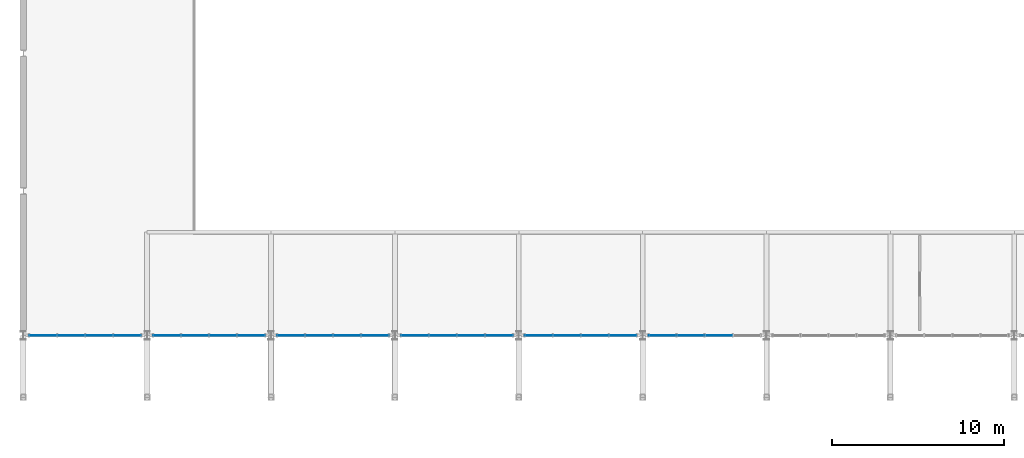
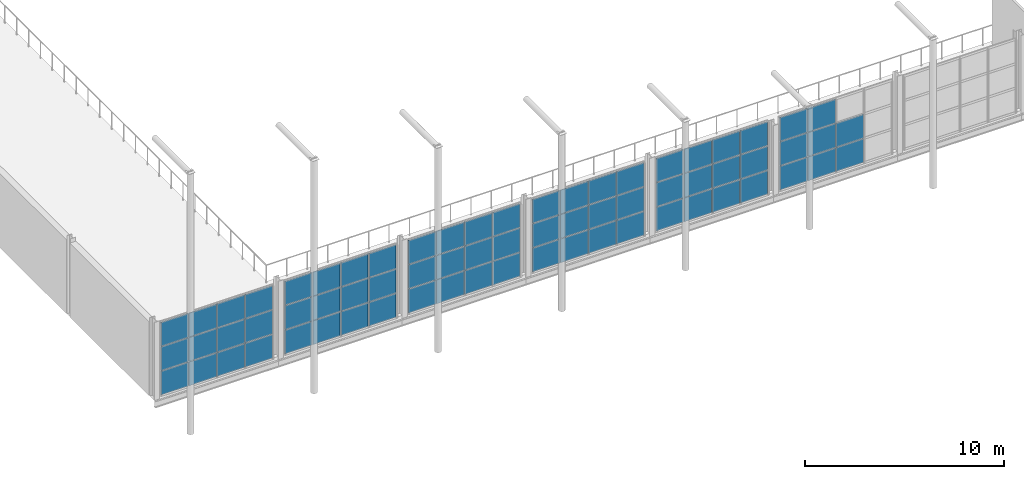
# One storey, part 104 of 143: 68 plates, 6 elements without a shape of their own.
"""IFC4 building model written with IfcOpenShell, lengths in metres."""

from ifc_helpers import new_model, si_unit, derived_unit, direction, frame, origin, origin_2d, place, context, subcontext, project, spatial, rectangle, extrude, material, layer, layer_set, type_object, element, aggregate, save


model = new_model("IFC4")

# Units and contexts
model_context = context("Model", 3, precision=1e-05, world=origin(), true_north=direction((0.0, 1.0)))
body_context = subcontext(model_context, "Body", "Model", "MODEL_VIEW")
ifc_project = project(units=[si_unit("LENGTHUNIT", "METRE"), si_unit("AREAUNIT", "SQUARE_METRE"), si_unit("VOLUMEUNIT", "CUBIC_METRE"), si_unit("PLANEANGLEUNIT", "RADIAN"), si_unit("MASSUNIT", "GRAM", prefix="KILO"), derived_unit("THERMALTRANSMITTANCEUNIT", [(si_unit("POWERUNIT", "WATT"), 1), (si_unit("LENGTHUNIT", "METRE"), -2), (si_unit("THERMODYNAMICTEMPERATUREUNIT", "KELVIN"), -1)])], contexts=[model_context])

# Site, building, storey
site_placement = place(None, origin())
site = spatial("IfcSite", under=ifc_project, at=site_placement, CompositionType="ELEMENT")
building_placement = place(site_placement, origin())
building = spatial("IfcBuilding", under=site, at=building_placement, Name="Keldorne Ridge Multi-Sports Centre", CompositionType="ELEMENT")
storey_placement = place(building_placement, frame((0.0, 0.0, 4.800048828125)))
storey = spatial("IfcBuildingStorey", under=building, at=storey_placement, Name="L01", CompositionType="ELEMENT", Elevation=4.800048828125)

# Curtain wall, plates
ifc_material_1 = material(Name="Anodized aluminium", Category="aluminium")
curtain_wall_type_1 = type_object("IfcCurtainWallType", Name="CW-CW-01", PredefinedType="NOTDEFINED", material=ifc_material_1)
curtain_wall_1_placement = place(storey_placement, origin())
curtain_wall_1 = element("IfcCurtainWall", 1, at=curtain_wall_1_placement, inside=storey, type_object=curtain_wall_type_1, Name="Main Hall south mezzanine curtain wall 001", PredefinedType="NOTDEFINED")
ifc_material_2 = material(Name="Triple acoustic low-e glazing", Category="glass")
ifc_layer = layer(ifc_material_2, 0.0439453125)
ifc_layer_set = layer_set([ifc_layer])
plate_type = type_object("IfcPlateType", Name="PLT-GL-02", PredefinedType="CURTAIN_PANEL", material=ifc_layer_set)
plate_1_placement = place(storey_placement, frame((7.155029296875, 9.60009765625, 0.02001953125), z_axis=(0.0, 0.0, 1.0), x_axis=(1.0, 0.0, 0.0)))
plate_1 = element("IfcPlate", 2, at=plate_1_placement, type_object=plate_type, Name="CW-001 glazed panel 1.1", PredefinedType="CURTAIN_PANEL", context=body_context, shape_type="SweptSolid", body=[
    extrude(rectangle(XDim=1.590087890625, YDim=0.0439453125, at=origin_2d()), origin(), (0.0, 0.0, 1.0), 1.4599609375),
])
plate_2_placement = place(storey_placement, frame((7.155029296875, 9.60009765625, 1.52001953125), z_axis=(0.0, 0.0, 1.0), x_axis=(1.0, 0.0, 0.0)))
plate_2 = element("IfcPlate", 3, at=plate_2_placement, type_object=plate_type, Name="CW-001 glazed panel 1.2", PredefinedType="CURTAIN_PANEL", context=body_context, shape_type="SweptSolid", body=[
    extrude(rectangle(XDim=1.590087890625, YDim=0.0439453125, at=origin_2d()), origin(), (0.0, 0.0, 1.0), 1.4599609375),
])
plate_3_placement = place(storey_placement, frame((7.155029296875, 9.60009765625, 3.02001953125), z_axis=(0.0, 0.0, 1.0), x_axis=(1.0, 0.0, 0.0)))
plate_3 = element("IfcPlate", 4, at=plate_3_placement, type_object=plate_type, Name="CW-001 glazed panel 1.3", PredefinedType="CURTAIN_PANEL", context=body_context, shape_type="SweptSolid", body=[
    extrude(rectangle(XDim=1.590087890625, YDim=0.0439453125, at=origin_2d()), origin(), (0.0, 0.0, 1.0), 1.4599609375),
])
plate_4_placement = place(storey_placement, frame((8.784912109375, 9.60009765625, 0.02001953125), z_axis=(0.0, 0.0, 1.0), x_axis=(1.0, 0.0, 0.0)))
plate_4 = element("IfcPlate", 5, at=plate_4_placement, type_object=plate_type, Name="CW-001 glazed panel 2.1", PredefinedType="CURTAIN_PANEL", context=body_context, shape_type="SweptSolid", body=[
    extrude(rectangle(XDim=1.590087890625, YDim=0.0439453125, at=origin_2d()), origin(), (0.0, 0.0, 1.0), 1.4599609375),
])
plate_5_placement = place(storey_placement, frame((8.784912109375, 9.60009765625, 1.52001953125), z_axis=(0.0, 0.0, 1.0), x_axis=(1.0, 0.0, 0.0)))
plate_5 = element("IfcPlate", 6, at=plate_5_placement, type_object=plate_type, Name="CW-001 glazed panel 2.2", PredefinedType="CURTAIN_PANEL", context=body_context, shape_type="SweptSolid", body=[
    extrude(rectangle(XDim=1.590087890625, YDim=0.0439453125, at=origin_2d()), origin(), (0.0, 0.0, 1.0), 1.4599609375),
])
plate_6_placement = place(storey_placement, frame((8.784912109375, 9.60009765625, 3.02001953125), z_axis=(0.0, 0.0, 1.0), x_axis=(1.0, 0.0, 0.0)))
plate_6 = element("IfcPlate", 7, at=plate_6_placement, type_object=plate_type, Name="CW-001 glazed panel 2.3", PredefinedType="CURTAIN_PANEL", context=body_context, shape_type="SweptSolid", body=[
    extrude(rectangle(XDim=1.590087890625, YDim=0.0439453125, at=origin_2d()), origin(), (0.0, 0.0, 1.0), 1.4599609375),
])
plate_7_placement = place(storey_placement, frame((10.4150390625, 9.60009765625, 0.02001953125), z_axis=(0.0, 0.0, 1.0), x_axis=(1.0, 0.0, 0.0)))
plate_7 = element("IfcPlate", 8, at=plate_7_placement, type_object=plate_type, Name="CW-001 glazed panel 3.1", PredefinedType="CURTAIN_PANEL", context=body_context, shape_type="SweptSolid", body=[
    extrude(rectangle(XDim=1.590087890625, YDim=0.0439453125, at=origin_2d()), origin(), (0.0, 0.0, 1.0), 1.4599609375),
])
plate_8_placement = place(storey_placement, frame((10.4150390625, 9.60009765625, 1.52001953125), z_axis=(0.0, 0.0, 1.0), x_axis=(1.0, 0.0, 0.0)))
plate_8 = element("IfcPlate", 9, at=plate_8_placement, type_object=plate_type, Name="CW-001 glazed panel 3.2", PredefinedType="CURTAIN_PANEL", context=body_context, shape_type="SweptSolid", body=[
    extrude(rectangle(XDim=1.590087890625, YDim=0.0439453125, at=origin_2d()), origin(), (0.0, 0.0, 1.0), 1.4599609375),
])
plate_9_placement = place(storey_placement, frame((10.4150390625, 9.60009765625, 3.02001953125), z_axis=(0.0, 0.0, 1.0), x_axis=(1.0, 0.0, 0.0)))
plate_9 = element("IfcPlate", 10, at=plate_9_placement, type_object=plate_type, Name="CW-001 glazed panel 3.3", PredefinedType="CURTAIN_PANEL", context=body_context, shape_type="SweptSolid", body=[
    extrude(rectangle(XDim=1.590087890625, YDim=0.0439453125, at=origin_2d()), origin(), (0.0, 0.0, 1.0), 1.4599609375),
])
plate_10_placement = place(storey_placement, frame((12.044921875, 9.60009765625, 0.02001953125), z_axis=(0.0, 0.0, 1.0), x_axis=(1.0, 0.0, 0.0)))
plate_10 = element("IfcPlate", 11, at=plate_10_placement, type_object=plate_type, Name="CW-001 glazed panel 4.1", PredefinedType="CURTAIN_PANEL", context=body_context, shape_type="SweptSolid", body=[
    extrude(rectangle(XDim=1.590087890625, YDim=0.0439453125, at=origin_2d()), origin(), (0.0, 0.0, 1.0), 1.4599609375),
])
plate_11_placement = place(storey_placement, frame((12.044921875, 9.60009765625, 1.52001953125), z_axis=(0.0, 0.0, 1.0), x_axis=(1.0, 0.0, 0.0)))
plate_11 = element("IfcPlate", 12, at=plate_11_placement, type_object=plate_type, Name="CW-001 glazed panel 4.2", PredefinedType="CURTAIN_PANEL", context=body_context, shape_type="SweptSolid", body=[
    extrude(rectangle(XDim=1.590087890625, YDim=0.0439453125, at=origin_2d()), origin(), (0.0, 0.0, 1.0), 1.4599609375),
])
plate_12_placement = place(storey_placement, frame((12.044921875, 9.60009765625, 3.02001953125), z_axis=(0.0, 0.0, 1.0), x_axis=(1.0, 0.0, 0.0)))
plate_12 = element("IfcPlate", 13, at=plate_12_placement, type_object=plate_type, Name="CW-001 glazed panel 4.3", PredefinedType="CURTAIN_PANEL", context=body_context, shape_type="SweptSolid", body=[
    extrude(rectangle(XDim=1.590087890625, YDim=0.0439453125, at=origin_2d()), origin(), (0.0, 0.0, 1.0), 1.4599609375),
])
aggregate(curtain_wall_1, [plate_1, plate_2, plate_3, plate_4, plate_5, plate_6, plate_7, plate_8, plate_9, plate_10, plate_11, plate_12])

curtain_wall_type_2 = type_object("IfcCurtainWallType", Name="CW-CW-04", PredefinedType="NOTDEFINED", material=ifc_material_1)
curtain_wall_2_placement = place(storey_placement, origin())
curtain_wall_2 = element("IfcCurtainWall", 14, at=curtain_wall_2_placement, inside=storey, type_object=curtain_wall_type_2, Name="Main Hall south mezzanine curtain wall 004", PredefinedType="NOTDEFINED")
plate_13_placement = place(storey_placement, frame((14.35498046875, 9.60009765625, 0.02001953125), z_axis=(0.0, 0.0, 1.0), x_axis=(1.0, 0.0, 0.0)))
plate_13 = element("IfcPlate", 15, at=plate_13_placement, type_object=plate_type, Name="CW-004 glazed panel 1.1", PredefinedType="CURTAIN_PANEL", context=body_context, shape_type="SweptSolid", body=[
    extrude(rectangle(XDim=1.590087890625, YDim=0.0439453125, at=origin_2d()), origin(), (0.0, 0.0, 1.0), 1.4599609375),
])
plate_14_placement = place(storey_placement, frame((14.35498046875, 9.60009765625, 1.52001953125), z_axis=(0.0, 0.0, 1.0), x_axis=(1.0, 0.0, 0.0)))
plate_14 = element("IfcPlate", 16, at=plate_14_placement, type_object=plate_type, Name="CW-004 glazed panel 1.2", PredefinedType="CURTAIN_PANEL", context=body_context, shape_type="SweptSolid", body=[
    extrude(rectangle(XDim=1.590087890625, YDim=0.0439453125, at=origin_2d()), origin(), (0.0, 0.0, 1.0), 1.4599609375),
])
plate_15_placement = place(storey_placement, frame((14.35498046875, 9.60009765625, 3.02001953125), z_axis=(0.0, 0.0, 1.0), x_axis=(1.0, 0.0, 0.0)))
plate_15 = element("IfcPlate", 17, at=plate_15_placement, type_object=plate_type, Name="CW-004 glazed panel 1.3", PredefinedType="CURTAIN_PANEL", context=body_context, shape_type="SweptSolid", body=[
    extrude(rectangle(XDim=1.590087890625, YDim=0.0439453125, at=origin_2d()), origin(), (0.0, 0.0, 1.0), 1.4599609375),
])
plate_16_placement = place(storey_placement, frame((15.985107421875, 9.60009765625, 0.02001953125), z_axis=(0.0, 0.0, 1.0), x_axis=(1.0, 0.0, 0.0)))
plate_16 = element("IfcPlate", 18, at=plate_16_placement, type_object=plate_type, Name="CW-004 glazed panel 2.1", PredefinedType="CURTAIN_PANEL", context=body_context, shape_type="SweptSolid", body=[
    extrude(rectangle(XDim=1.590087890625, YDim=0.0439453125, at=origin_2d()), origin(), (0.0, 0.0, 1.0), 1.4599609375),
])
plate_17_placement = place(storey_placement, frame((15.985107421875, 9.60009765625, 1.52001953125), z_axis=(0.0, 0.0, 1.0), x_axis=(1.0, 0.0, 0.0)))
plate_17 = element("IfcPlate", 19, at=plate_17_placement, type_object=plate_type, Name="CW-004 glazed panel 2.2", PredefinedType="CURTAIN_PANEL", context=body_context, shape_type="SweptSolid", body=[
    extrude(rectangle(XDim=1.590087890625, YDim=0.0439453125, at=origin_2d()), origin(), (0.0, 0.0, 1.0), 1.4599609375),
])
plate_18_placement = place(storey_placement, frame((15.985107421875, 9.60009765625, 3.02001953125), z_axis=(0.0, 0.0, 1.0), x_axis=(1.0, 0.0, 0.0)))
plate_18 = element("IfcPlate", 20, at=plate_18_placement, type_object=plate_type, Name="CW-004 glazed panel 2.3", PredefinedType="CURTAIN_PANEL", context=body_context, shape_type="SweptSolid", body=[
    extrude(rectangle(XDim=1.590087890625, YDim=0.0439453125, at=origin_2d()), origin(), (0.0, 0.0, 1.0), 1.4599609375),
])
plate_19_placement = place(storey_placement, frame((17.614990234375, 9.60009765625, 0.02001953125), z_axis=(0.0, 0.0, 1.0), x_axis=(1.0, 0.0, 0.0)))
plate_19 = element("IfcPlate", 21, at=plate_19_placement, type_object=plate_type, Name="CW-004 glazed panel 3.1", PredefinedType="CURTAIN_PANEL", context=body_context, shape_type="SweptSolid", body=[
    extrude(rectangle(XDim=1.590087890625, YDim=0.0439453125, at=origin_2d()), origin(), (0.0, 0.0, 1.0), 1.4599609375),
])
plate_20_placement = place(storey_placement, frame((17.614990234375, 9.60009765625, 1.52001953125), z_axis=(0.0, 0.0, 1.0), x_axis=(1.0, 0.0, 0.0)))
plate_20 = element("IfcPlate", 22, at=plate_20_placement, type_object=plate_type, Name="CW-004 glazed panel 3.2", PredefinedType="CURTAIN_PANEL", context=body_context, shape_type="SweptSolid", body=[
    extrude(rectangle(XDim=1.590087890625, YDim=0.0439453125, at=origin_2d()), origin(), (0.0, 0.0, 1.0), 1.4599609375),
])
plate_21_placement = place(storey_placement, frame((17.614990234375, 9.60009765625, 3.02001953125), z_axis=(0.0, 0.0, 1.0), x_axis=(1.0, 0.0, 0.0)))
plate_21 = element("IfcPlate", 23, at=plate_21_placement, type_object=plate_type, Name="CW-004 glazed panel 3.3", PredefinedType="CURTAIN_PANEL", context=body_context, shape_type="SweptSolid", body=[
    extrude(rectangle(XDim=1.590087890625, YDim=0.0439453125, at=origin_2d()), origin(), (0.0, 0.0, 1.0), 1.4599609375),
])
plate_22_placement = place(storey_placement, frame((19.2451171875, 9.60009765625, 0.02001953125), z_axis=(0.0, 0.0, 1.0), x_axis=(1.0, 0.0, 0.0)))
plate_22 = element("IfcPlate", 24, at=plate_22_placement, type_object=plate_type, Name="CW-004 glazed panel 4.1", PredefinedType="CURTAIN_PANEL", context=body_context, shape_type="SweptSolid", body=[
    extrude(rectangle(XDim=1.590087890625, YDim=0.0439453125, at=origin_2d()), origin(), (0.0, 0.0, 1.0), 1.4599609375),
])
plate_23_placement = place(storey_placement, frame((19.2451171875, 9.60009765625, 1.52001953125), z_axis=(0.0, 0.0, 1.0), x_axis=(1.0, 0.0, 0.0)))
plate_23 = element("IfcPlate", 25, at=plate_23_placement, type_object=plate_type, Name="CW-004 glazed panel 4.2", PredefinedType="CURTAIN_PANEL", context=body_context, shape_type="SweptSolid", body=[
    extrude(rectangle(XDim=1.590087890625, YDim=0.0439453125, at=origin_2d()), origin(), (0.0, 0.0, 1.0), 1.4599609375),
])
plate_24_placement = place(storey_placement, frame((19.2451171875, 9.60009765625, 3.02001953125), z_axis=(0.0, 0.0, 1.0), x_axis=(1.0, 0.0, 0.0)))
plate_24 = element("IfcPlate", 26, at=plate_24_placement, type_object=plate_type, Name="CW-004 glazed panel 4.3", PredefinedType="CURTAIN_PANEL", context=body_context, shape_type="SweptSolid", body=[
    extrude(rectangle(XDim=1.590087890625, YDim=0.0439453125, at=origin_2d()), origin(), (0.0, 0.0, 1.0), 1.4599609375),
])
aggregate(curtain_wall_2, [plate_13, plate_14, plate_15, plate_16, plate_17, plate_18, plate_19, plate_20, plate_21, plate_22, plate_23, plate_24])

curtain_wall_type_3 = type_object("IfcCurtainWallType", Name="CW-CW-07", PredefinedType="NOTDEFINED", material=ifc_material_1)
curtain_wall_3_placement = place(storey_placement, origin())
curtain_wall_3 = element("IfcCurtainWall", 27, at=curtain_wall_3_placement, inside=storey, type_object=curtain_wall_type_3, Name="Main Hall south mezzanine curtain wall 007", PredefinedType="NOTDEFINED")
plate_25_placement = place(storey_placement, frame((21.554931640625, 9.60009765625, 0.02001953125), z_axis=(0.0, 0.0, 1.0), x_axis=(1.0, 0.0, 0.0)))
plate_25 = element("IfcPlate", 28, at=plate_25_placement, type_object=plate_type, Name="CW-007 glazed panel 1.1", PredefinedType="CURTAIN_PANEL", context=body_context, shape_type="SweptSolid", body=[
    extrude(rectangle(XDim=1.590087890625, YDim=0.0439453125, at=origin_2d()), origin(), (0.0, 0.0, 1.0), 1.4599609375),
])
plate_26_placement = place(storey_placement, frame((21.554931640625, 9.60009765625, 1.52001953125), z_axis=(0.0, 0.0, 1.0), x_axis=(1.0, 0.0, 0.0)))
plate_26 = element("IfcPlate", 29, at=plate_26_placement, type_object=plate_type, Name="CW-007 glazed panel 1.2", PredefinedType="CURTAIN_PANEL", context=body_context, shape_type="SweptSolid", body=[
    extrude(rectangle(XDim=1.590087890625, YDim=0.0439453125, at=origin_2d()), origin(), (0.0, 0.0, 1.0), 1.4599609375),
])
plate_27_placement = place(storey_placement, frame((21.554931640625, 9.60009765625, 3.02001953125), z_axis=(0.0, 0.0, 1.0), x_axis=(1.0, 0.0, 0.0)))
plate_27 = element("IfcPlate", 30, at=plate_27_placement, type_object=plate_type, Name="CW-007 glazed panel 1.3", PredefinedType="CURTAIN_PANEL", context=body_context, shape_type="SweptSolid", body=[
    extrude(rectangle(XDim=1.590087890625, YDim=0.0439453125, at=origin_2d()), origin(), (0.0, 0.0, 1.0), 1.4599609375),
])
plate_28_placement = place(storey_placement, frame((23.18505859375, 9.60009765625, 0.02001953125), z_axis=(0.0, 0.0, 1.0), x_axis=(1.0, 0.0, 0.0)))
plate_28 = element("IfcPlate", 31, at=plate_28_placement, type_object=plate_type, Name="CW-007 glazed panel 2.1", PredefinedType="CURTAIN_PANEL", context=body_context, shape_type="SweptSolid", body=[
    extrude(rectangle(XDim=1.590087890625, YDim=0.0439453125, at=origin_2d()), origin(), (0.0, 0.0, 1.0), 1.4599609375),
])
plate_29_placement = place(storey_placement, frame((23.18505859375, 9.60009765625, 1.52001953125), z_axis=(0.0, 0.0, 1.0), x_axis=(1.0, 0.0, 0.0)))
plate_29 = element("IfcPlate", 32, at=plate_29_placement, type_object=plate_type, Name="CW-007 glazed panel 2.2", PredefinedType="CURTAIN_PANEL", context=body_context, shape_type="SweptSolid", body=[
    extrude(rectangle(XDim=1.590087890625, YDim=0.0439453125, at=origin_2d()), origin(), (0.0, 0.0, 1.0), 1.4599609375),
])
plate_30_placement = place(storey_placement, frame((23.18505859375, 9.60009765625, 3.02001953125), z_axis=(0.0, 0.0, 1.0), x_axis=(1.0, 0.0, 0.0)))
plate_30 = element("IfcPlate", 33, at=plate_30_placement, type_object=plate_type, Name="CW-007 glazed panel 2.3", PredefinedType="CURTAIN_PANEL", context=body_context, shape_type="SweptSolid", body=[
    extrude(rectangle(XDim=1.590087890625, YDim=0.0439453125, at=origin_2d()), origin(), (0.0, 0.0, 1.0), 1.4599609375),
])
plate_31_placement = place(storey_placement, frame((24.81494140625, 9.60009765625, 0.02001953125), z_axis=(0.0, 0.0, 1.0), x_axis=(1.0, 0.0, 0.0)))
plate_31 = element("IfcPlate", 34, at=plate_31_placement, type_object=plate_type, Name="CW-007 glazed panel 3.1", PredefinedType="CURTAIN_PANEL", context=body_context, shape_type="SweptSolid", body=[
    extrude(rectangle(XDim=1.590087890625, YDim=0.0439453125, at=origin_2d()), origin(), (0.0, 0.0, 1.0), 1.4599609375),
])
plate_32_placement = place(storey_placement, frame((24.81494140625, 9.60009765625, 1.52001953125), z_axis=(0.0, 0.0, 1.0), x_axis=(1.0, 0.0, 0.0)))
plate_32 = element("IfcPlate", 35, at=plate_32_placement, type_object=plate_type, Name="CW-007 glazed panel 3.2", PredefinedType="CURTAIN_PANEL", context=body_context, shape_type="SweptSolid", body=[
    extrude(rectangle(XDim=1.590087890625, YDim=0.0439453125, at=origin_2d()), origin(), (0.0, 0.0, 1.0), 1.4599609375),
])
plate_33_placement = place(storey_placement, frame((24.81494140625, 9.60009765625, 3.02001953125), z_axis=(0.0, 0.0, 1.0), x_axis=(1.0, 0.0, 0.0)))
plate_33 = element("IfcPlate", 36, at=plate_33_placement, type_object=plate_type, Name="CW-007 glazed panel 3.3", PredefinedType="CURTAIN_PANEL", context=body_context, shape_type="SweptSolid", body=[
    extrude(rectangle(XDim=1.590087890625, YDim=0.0439453125, at=origin_2d()), origin(), (0.0, 0.0, 1.0), 1.4599609375),
])
plate_34_placement = place(storey_placement, frame((26.445068359375, 9.60009765625, 0.02001953125), z_axis=(0.0, 0.0, 1.0), x_axis=(1.0, 0.0, 0.0)))
plate_34 = element("IfcPlate", 37, at=plate_34_placement, type_object=plate_type, Name="CW-007 glazed panel 4.1", PredefinedType="CURTAIN_PANEL", context=body_context, shape_type="SweptSolid", body=[
    extrude(rectangle(XDim=1.590087890625, YDim=0.0439453125, at=origin_2d()), origin(), (0.0, 0.0, 1.0), 1.4599609375),
])
plate_35_placement = place(storey_placement, frame((26.445068359375, 9.60009765625, 1.52001953125), z_axis=(0.0, 0.0, 1.0), x_axis=(1.0, 0.0, 0.0)))
plate_35 = element("IfcPlate", 38, at=plate_35_placement, type_object=plate_type, Name="CW-007 glazed panel 4.2", PredefinedType="CURTAIN_PANEL", context=body_context, shape_type="SweptSolid", body=[
    extrude(rectangle(XDim=1.590087890625, YDim=0.0439453125, at=origin_2d()), origin(), (0.0, 0.0, 1.0), 1.4599609375),
])
plate_36_placement = place(storey_placement, frame((26.445068359375, 9.60009765625, 3.02001953125), z_axis=(0.0, 0.0, 1.0), x_axis=(1.0, 0.0, 0.0)))
plate_36 = element("IfcPlate", 39, at=plate_36_placement, type_object=plate_type, Name="CW-007 glazed panel 4.3", PredefinedType="CURTAIN_PANEL", context=body_context, shape_type="SweptSolid", body=[
    extrude(rectangle(XDim=1.590087890625, YDim=0.0439453125, at=origin_2d()), origin(), (0.0, 0.0, 1.0), 1.4599609375),
])
aggregate(curtain_wall_3, [plate_25, plate_26, plate_27, plate_28, plate_29, plate_30, plate_31, plate_32, plate_33, plate_34, plate_35, plate_36])

curtain_wall_type_4 = type_object("IfcCurtainWallType", Name="CW-CW-02", PredefinedType="NOTDEFINED", material=ifc_material_1)
curtain_wall_4_placement = place(storey_placement, origin())
curtain_wall_4 = element("IfcCurtainWall", 40, at=curtain_wall_4_placement, inside=storey, type_object=curtain_wall_type_4, Name="Main Hall south mezzanine curtain wall 010", PredefinedType="NOTDEFINED")
plate_37_placement = place(storey_placement, frame((28.7548828125, 9.60009765625, 0.02001953125), z_axis=(0.0, 0.0, 1.0), x_axis=(1.0, 0.0, 0.0)))
plate_37 = element("IfcPlate", 41, at=plate_37_placement, type_object=plate_type, Name="CW-010 glazed panel 1.1", PredefinedType="CURTAIN_PANEL", context=body_context, shape_type="SweptSolid", body=[
    extrude(rectangle(XDim=1.590087890625, YDim=0.0439453125, at=origin_2d()), origin(), (0.0, 0.0, 1.0), 1.4599609375),
])
plate_38_placement = place(storey_placement, frame((28.7548828125, 9.60009765625, 1.52001953125), z_axis=(0.0, 0.0, 1.0), x_axis=(1.0, 0.0, 0.0)))
plate_38 = element("IfcPlate", 42, at=plate_38_placement, type_object=plate_type, Name="CW-010 glazed panel 1.2", PredefinedType="CURTAIN_PANEL", context=body_context, shape_type="SweptSolid", body=[
    extrude(rectangle(XDim=1.590087890625, YDim=0.0439453125, at=origin_2d()), origin(), (0.0, 0.0, 1.0), 1.4599609375),
])
plate_39_placement = place(storey_placement, frame((28.7548828125, 9.60009765625, 3.02001953125), z_axis=(0.0, 0.0, 1.0), x_axis=(1.0, 0.0, 0.0)))
plate_39 = element("IfcPlate", 43, at=plate_39_placement, type_object=plate_type, Name="CW-010 glazed panel 1.3", PredefinedType="CURTAIN_PANEL", context=body_context, shape_type="SweptSolid", body=[
    extrude(rectangle(XDim=1.590087890625, YDim=0.0439453125, at=origin_2d()), origin(), (0.0, 0.0, 1.0), 1.4599609375),
])
plate_40_placement = place(storey_placement, frame((30.385009765625, 9.60009765625, 0.02001953125), z_axis=(0.0, 0.0, 1.0), x_axis=(1.0, 0.0, 0.0)))
plate_40 = element("IfcPlate", 44, at=plate_40_placement, type_object=plate_type, Name="CW-010 glazed panel 2.1", PredefinedType="CURTAIN_PANEL", context=body_context, shape_type="SweptSolid", body=[
    extrude(rectangle(XDim=1.590087890625, YDim=0.0439453125, at=origin_2d()), origin(), (0.0, 0.0, 1.0), 1.4599609375),
])
plate_41_placement = place(storey_placement, frame((30.385009765625, 9.60009765625, 1.52001953125), z_axis=(0.0, 0.0, 1.0), x_axis=(1.0, 0.0, 0.0)))
plate_41 = element("IfcPlate", 45, at=plate_41_placement, type_object=plate_type, Name="CW-010 glazed panel 2.2", PredefinedType="CURTAIN_PANEL", context=body_context, shape_type="SweptSolid", body=[
    extrude(rectangle(XDim=1.590087890625, YDim=0.0439453125, at=origin_2d()), origin(), (0.0, 0.0, 1.0), 1.4599609375),
])
plate_42_placement = place(storey_placement, frame((30.385009765625, 9.60009765625, 3.02001953125), z_axis=(0.0, 0.0, 1.0), x_axis=(1.0, 0.0, 0.0)))
plate_42 = element("IfcPlate", 46, at=plate_42_placement, type_object=plate_type, Name="CW-010 glazed panel 2.3", PredefinedType="CURTAIN_PANEL", context=body_context, shape_type="SweptSolid", body=[
    extrude(rectangle(XDim=1.590087890625, YDim=0.0439453125, at=origin_2d()), origin(), (0.0, 0.0, 1.0), 1.4599609375),
])
plate_43_placement = place(storey_placement, frame((32.014892578125, 9.60009765625, 0.02001953125), z_axis=(0.0, 0.0, 1.0), x_axis=(1.0, 0.0, 0.0)))
plate_43 = element("IfcPlate", 47, at=plate_43_placement, type_object=plate_type, Name="CW-010 glazed panel 3.1", PredefinedType="CURTAIN_PANEL", context=body_context, shape_type="SweptSolid", body=[
    extrude(rectangle(XDim=1.590087890625, YDim=0.0439453125, at=origin_2d()), origin(), (0.0, 0.0, 1.0), 1.4599609375),
])
plate_44_placement = place(storey_placement, frame((32.014892578125, 9.60009765625, 1.52001953125), z_axis=(0.0, 0.0, 1.0), x_axis=(1.0, 0.0, 0.0)))
plate_44 = element("IfcPlate", 48, at=plate_44_placement, type_object=plate_type, Name="CW-010 glazed panel 3.2", PredefinedType="CURTAIN_PANEL", context=body_context, shape_type="SweptSolid", body=[
    extrude(rectangle(XDim=1.590087890625, YDim=0.0439453125, at=origin_2d()), origin(), (0.0, 0.0, 1.0), 1.4599609375),
])
plate_45_placement = place(storey_placement, frame((32.014892578125, 9.60009765625, 3.02001953125), z_axis=(0.0, 0.0, 1.0), x_axis=(1.0, 0.0, 0.0)))
plate_45 = element("IfcPlate", 49, at=plate_45_placement, type_object=plate_type, Name="CW-010 glazed panel 3.3", PredefinedType="CURTAIN_PANEL", context=body_context, shape_type="SweptSolid", body=[
    extrude(rectangle(XDim=1.590087890625, YDim=0.0439453125, at=origin_2d()), origin(), (0.0, 0.0, 1.0), 1.4599609375),
])
plate_46_placement = place(storey_placement, frame((33.64501953125, 9.60009765625, 0.02001953125), z_axis=(0.0, 0.0, 1.0), x_axis=(1.0, 0.0, 0.0)))
plate_46 = element("IfcPlate", 50, at=plate_46_placement, type_object=plate_type, Name="CW-010 glazed panel 4.1", PredefinedType="CURTAIN_PANEL", context=body_context, shape_type="SweptSolid", body=[
    extrude(rectangle(XDim=1.590087890625, YDim=0.0439453125, at=origin_2d()), origin(), (0.0, 0.0, 1.0), 1.4599609375),
])
plate_47_placement = place(storey_placement, frame((33.64501953125, 9.60009765625, 1.52001953125), z_axis=(0.0, 0.0, 1.0), x_axis=(1.0, 0.0, 0.0)))
plate_47 = element("IfcPlate", 51, at=plate_47_placement, type_object=plate_type, Name="CW-010 glazed panel 4.2", PredefinedType="CURTAIN_PANEL", context=body_context, shape_type="SweptSolid", body=[
    extrude(rectangle(XDim=1.590087890625, YDim=0.0439453125, at=origin_2d()), origin(), (0.0, 0.0, 1.0), 1.4599609375),
])
plate_48_placement = place(storey_placement, frame((33.64501953125, 9.60009765625, 3.02001953125), z_axis=(0.0, 0.0, 1.0), x_axis=(1.0, 0.0, 0.0)))
plate_48 = element("IfcPlate", 52, at=plate_48_placement, type_object=plate_type, Name="CW-010 glazed panel 4.3", PredefinedType="CURTAIN_PANEL", context=body_context, shape_type="SweptSolid", body=[
    extrude(rectangle(XDim=1.590087890625, YDim=0.0439453125, at=origin_2d()), origin(), (0.0, 0.0, 1.0), 1.4599609375),
])
aggregate(curtain_wall_4, [plate_37, plate_38, plate_39, plate_40, plate_41, plate_42, plate_43, plate_44, plate_45, plate_46, plate_47, plate_48])

curtain_wall_type_5 = type_object("IfcCurtainWallType", Name="CW-CW-05", PredefinedType="NOTDEFINED", material=ifc_material_1)
curtain_wall_5_placement = place(storey_placement, origin())
curtain_wall_5 = element("IfcCurtainWall", 53, at=curtain_wall_5_placement, inside=storey, type_object=curtain_wall_type_5, Name="Main Hall south mezzanine curtain wall 013", PredefinedType="NOTDEFINED")
plate_49_placement = place(storey_placement, frame((35.955078125, 9.60009765625, 0.02001953125), z_axis=(0.0, 0.0, 1.0), x_axis=(1.0, 0.0, 0.0)))
plate_49 = element("IfcPlate", 54, at=plate_49_placement, type_object=plate_type, Name="CW-013 glazed panel 1.1", PredefinedType="CURTAIN_PANEL", context=body_context, shape_type="SweptSolid", body=[
    extrude(rectangle(XDim=1.590087890625, YDim=0.0439453125, at=origin_2d()), origin(), (0.0, 0.0, 1.0), 1.4599609375),
])
plate_50_placement = place(storey_placement, frame((35.955078125, 9.60009765625, 1.52001953125), z_axis=(0.0, 0.0, 1.0), x_axis=(1.0, 0.0, 0.0)))
plate_50 = element("IfcPlate", 55, at=plate_50_placement, type_object=plate_type, Name="CW-013 glazed panel 1.2", PredefinedType="CURTAIN_PANEL", context=body_context, shape_type="SweptSolid", body=[
    extrude(rectangle(XDim=1.590087890625, YDim=0.0439453125, at=origin_2d()), origin(), (0.0, 0.0, 1.0), 1.4599609375),
])
plate_51_placement = place(storey_placement, frame((35.955078125, 9.60009765625, 3.02001953125), z_axis=(0.0, 0.0, 1.0), x_axis=(1.0, 0.0, 0.0)))
plate_51 = element("IfcPlate", 56, at=plate_51_placement, type_object=plate_type, Name="CW-013 glazed panel 1.3", PredefinedType="CURTAIN_PANEL", context=body_context, shape_type="SweptSolid", body=[
    extrude(rectangle(XDim=1.590087890625, YDim=0.0439453125, at=origin_2d()), origin(), (0.0, 0.0, 1.0), 1.4599609375),
])
plate_52_placement = place(storey_placement, frame((37.5849609375, 9.60009765625, 0.02001953125), z_axis=(0.0, 0.0, 1.0), x_axis=(1.0, 0.0, 0.0)))
plate_52 = element("IfcPlate", 57, at=plate_52_placement, type_object=plate_type, Name="CW-013 glazed panel 2.1", PredefinedType="CURTAIN_PANEL", context=body_context, shape_type="SweptSolid", body=[
    extrude(rectangle(XDim=1.590087890625, YDim=0.0439453125, at=origin_2d()), origin(), (0.0, 0.0, 1.0), 1.4599609375),
])
plate_53_placement = place(storey_placement, frame((37.5849609375, 9.60009765625, 1.52001953125), z_axis=(0.0, 0.0, 1.0), x_axis=(1.0, 0.0, 0.0)))
plate_53 = element("IfcPlate", 58, at=plate_53_placement, type_object=plate_type, Name="CW-013 glazed panel 2.2", PredefinedType="CURTAIN_PANEL", context=body_context, shape_type="SweptSolid", body=[
    extrude(rectangle(XDim=1.590087890625, YDim=0.0439453125, at=origin_2d()), origin(), (0.0, 0.0, 1.0), 1.4599609375),
])
plate_54_placement = place(storey_placement, frame((37.5849609375, 9.60009765625, 3.02001953125), z_axis=(0.0, 0.0, 1.0), x_axis=(1.0, 0.0, 0.0)))
plate_54 = element("IfcPlate", 59, at=plate_54_placement, type_object=plate_type, Name="CW-013 glazed panel 2.3", PredefinedType="CURTAIN_PANEL", context=body_context, shape_type="SweptSolid", body=[
    extrude(rectangle(XDim=1.590087890625, YDim=0.0439453125, at=origin_2d()), origin(), (0.0, 0.0, 1.0), 1.4599609375),
])
plate_55_placement = place(storey_placement, frame((39.215087890625, 9.60009765625, 0.02001953125), z_axis=(0.0, 0.0, 1.0), x_axis=(1.0, 0.0, 0.0)))
plate_55 = element("IfcPlate", 60, at=plate_55_placement, type_object=plate_type, Name="CW-013 glazed panel 3.1", PredefinedType="CURTAIN_PANEL", context=body_context, shape_type="SweptSolid", body=[
    extrude(rectangle(XDim=1.590087890625, YDim=0.0439453125, at=origin_2d()), origin(), (0.0, 0.0, 1.0), 1.4599609375),
])
plate_56_placement = place(storey_placement, frame((39.215087890625, 9.60009765625, 1.52001953125), z_axis=(0.0, 0.0, 1.0), x_axis=(1.0, 0.0, 0.0)))
plate_56 = element("IfcPlate", 61, at=plate_56_placement, type_object=plate_type, Name="CW-013 glazed panel 3.2", PredefinedType="CURTAIN_PANEL", context=body_context, shape_type="SweptSolid", body=[
    extrude(rectangle(XDim=1.590087890625, YDim=0.0439453125, at=origin_2d()), origin(), (0.0, 0.0, 1.0), 1.4599609375),
])
plate_57_placement = place(storey_placement, frame((39.215087890625, 9.60009765625, 3.02001953125), z_axis=(0.0, 0.0, 1.0), x_axis=(1.0, 0.0, 0.0)))
plate_57 = element("IfcPlate", 62, at=plate_57_placement, type_object=plate_type, Name="CW-013 glazed panel 3.3", PredefinedType="CURTAIN_PANEL", context=body_context, shape_type="SweptSolid", body=[
    extrude(rectangle(XDim=1.590087890625, YDim=0.0439453125, at=origin_2d()), origin(), (0.0, 0.0, 1.0), 1.4599609375),
])
plate_58_placement = place(storey_placement, frame((40.844970703125, 9.60009765625, 0.02001953125), z_axis=(0.0, 0.0, 1.0), x_axis=(1.0, 0.0, 0.0)))
plate_58 = element("IfcPlate", 63, at=plate_58_placement, type_object=plate_type, Name="CW-013 glazed panel 4.1", PredefinedType="CURTAIN_PANEL", context=body_context, shape_type="SweptSolid", body=[
    extrude(rectangle(XDim=1.590087890625, YDim=0.0439453125, at=origin_2d()), origin(), (0.0, 0.0, 1.0), 1.4599609375),
])
plate_59_placement = place(storey_placement, frame((40.844970703125, 9.60009765625, 1.52001953125), z_axis=(0.0, 0.0, 1.0), x_axis=(1.0, 0.0, 0.0)))
plate_59 = element("IfcPlate", 64, at=plate_59_placement, type_object=plate_type, Name="CW-013 glazed panel 4.2", PredefinedType="CURTAIN_PANEL", context=body_context, shape_type="SweptSolid", body=[
    extrude(rectangle(XDim=1.590087890625, YDim=0.0439453125, at=origin_2d()), origin(), (0.0, 0.0, 1.0), 1.4599609375),
])
plate_60_placement = place(storey_placement, frame((40.844970703125, 9.60009765625, 3.02001953125), z_axis=(0.0, 0.0, 1.0), x_axis=(1.0, 0.0, 0.0)))
plate_60 = element("IfcPlate", 65, at=plate_60_placement, type_object=plate_type, Name="CW-013 glazed panel 4.3", PredefinedType="CURTAIN_PANEL", context=body_context, shape_type="SweptSolid", body=[
    extrude(rectangle(XDim=1.590087890625, YDim=0.0439453125, at=origin_2d()), origin(), (0.0, 0.0, 1.0), 1.4599609375),
])
aggregate(curtain_wall_5, [plate_49, plate_50, plate_51, plate_52, plate_53, plate_54, plate_55, plate_56, plate_57, plate_58, plate_59, plate_60])

curtain_wall_6_placement = place(storey_placement, origin())
curtain_wall_6 = element("IfcCurtainWall", 66, at=curtain_wall_6_placement, inside=storey, type_object=curtain_wall_type_3, Name="Main Hall south mezzanine curtain wall 015", PredefinedType="NOTDEFINED")
plate_61_placement = place(storey_placement, frame((43.155029296875, 9.60009765625, 0.02001953125), z_axis=(0.0, 0.0, 1.0), x_axis=(1.0, 0.0, 0.0)))
plate_61 = element("IfcPlate", 67, at=plate_61_placement, type_object=plate_type, Name="CW-015 glazed panel 1.1", PredefinedType="CURTAIN_PANEL", context=body_context, shape_type="SweptSolid", body=[
    extrude(rectangle(XDim=1.590087890625, YDim=0.0439453125, at=origin_2d()), origin(), (0.0, 0.0, 1.0), 1.4599609375),
])
plate_62_placement = place(storey_placement, frame((43.155029296875, 9.60009765625, 1.52001953125), z_axis=(0.0, 0.0, 1.0), x_axis=(1.0, 0.0, 0.0)))
plate_62 = element("IfcPlate", 68, at=plate_62_placement, type_object=plate_type, Name="CW-015 glazed panel 1.2", PredefinedType="CURTAIN_PANEL", context=body_context, shape_type="SweptSolid", body=[
    extrude(rectangle(XDim=1.590087890625, YDim=0.0439453125, at=origin_2d()), origin(), (0.0, 0.0, 1.0), 1.4599609375),
])
plate_63_placement = place(storey_placement, frame((43.155029296875, 9.60009765625, 3.02001953125), z_axis=(0.0, 0.0, 1.0), x_axis=(1.0, 0.0, 0.0)))
plate_63 = element("IfcPlate", 69, at=plate_63_placement, type_object=plate_type, Name="CW-015 glazed panel 1.3", PredefinedType="CURTAIN_PANEL", context=body_context, shape_type="SweptSolid", body=[
    extrude(rectangle(XDim=1.590087890625, YDim=0.0439453125, at=origin_2d()), origin(), (0.0, 0.0, 1.0), 1.4599609375),
])
plate_64_placement = place(storey_placement, frame((44.784912109375, 9.60009765625, 0.02001953125), z_axis=(0.0, 0.0, 1.0), x_axis=(1.0, 0.0, 0.0)))
plate_64 = element("IfcPlate", 70, at=plate_64_placement, type_object=plate_type, Name="CW-015 glazed panel 2.1", PredefinedType="CURTAIN_PANEL", context=body_context, shape_type="SweptSolid", body=[
    extrude(rectangle(XDim=1.590087890625, YDim=0.0439453125, at=origin_2d()), origin(), (0.0, 0.0, 1.0), 1.4599609375),
])
plate_65_placement = place(storey_placement, frame((44.784912109375, 9.60009765625, 1.52001953125), z_axis=(0.0, 0.0, 1.0), x_axis=(1.0, 0.0, 0.0)))
plate_65 = element("IfcPlate", 71, at=plate_65_placement, type_object=plate_type, Name="CW-015 glazed panel 2.2", PredefinedType="CURTAIN_PANEL", context=body_context, shape_type="SweptSolid", body=[
    extrude(rectangle(XDim=1.590087890625, YDim=0.0439453125, at=origin_2d()), origin(), (0.0, 0.0, 1.0), 1.4599609375),
])
plate_66_placement = place(storey_placement, frame((44.784912109375, 9.60009765625, 3.02001953125), z_axis=(0.0, 0.0, 1.0), x_axis=(1.0, 0.0, 0.0)))
plate_66 = element("IfcPlate", 72, at=plate_66_placement, type_object=plate_type, Name="CW-015 glazed panel 2.3", PredefinedType="CURTAIN_PANEL", context=body_context, shape_type="SweptSolid", body=[
    extrude(rectangle(XDim=1.590087890625, YDim=0.0439453125, at=origin_2d()), origin(), (0.0, 0.0, 1.0), 1.4599609375),
])
plate_67_placement = place(storey_placement, frame((46.4150390625, 9.60009765625, 0.02001953125), z_axis=(0.0, 0.0, 1.0), x_axis=(1.0, 0.0, 0.0)))
plate_67 = element("IfcPlate", 73, at=plate_67_placement, type_object=plate_type, Name="CW-015 glazed panel 3.1", PredefinedType="CURTAIN_PANEL", context=body_context, shape_type="SweptSolid", body=[
    extrude(rectangle(XDim=1.590087890625, YDim=0.0439453125, at=origin_2d()), origin(), (0.0, 0.0, 1.0), 1.4599609375),
])
plate_68_placement = place(storey_placement, frame((46.4150390625, 9.60009765625, 1.52001953125), z_axis=(0.0, 0.0, 1.0), x_axis=(1.0, 0.0, 0.0)))
plate_68 = element("IfcPlate", 74, at=plate_68_placement, type_object=plate_type, Name="CW-015 glazed panel 3.2", PredefinedType="CURTAIN_PANEL", context=body_context, shape_type="SweptSolid", body=[
    extrude(rectangle(XDim=1.590087890625, YDim=0.0439453125, at=origin_2d()), origin(), (0.0, 0.0, 1.0), 1.4599609375),
])
aggregate(curtain_wall_6, [plate_61, plate_62, plate_63, plate_64, plate_65, plate_66, plate_67, plate_68])

save(model, "model.ifc")
